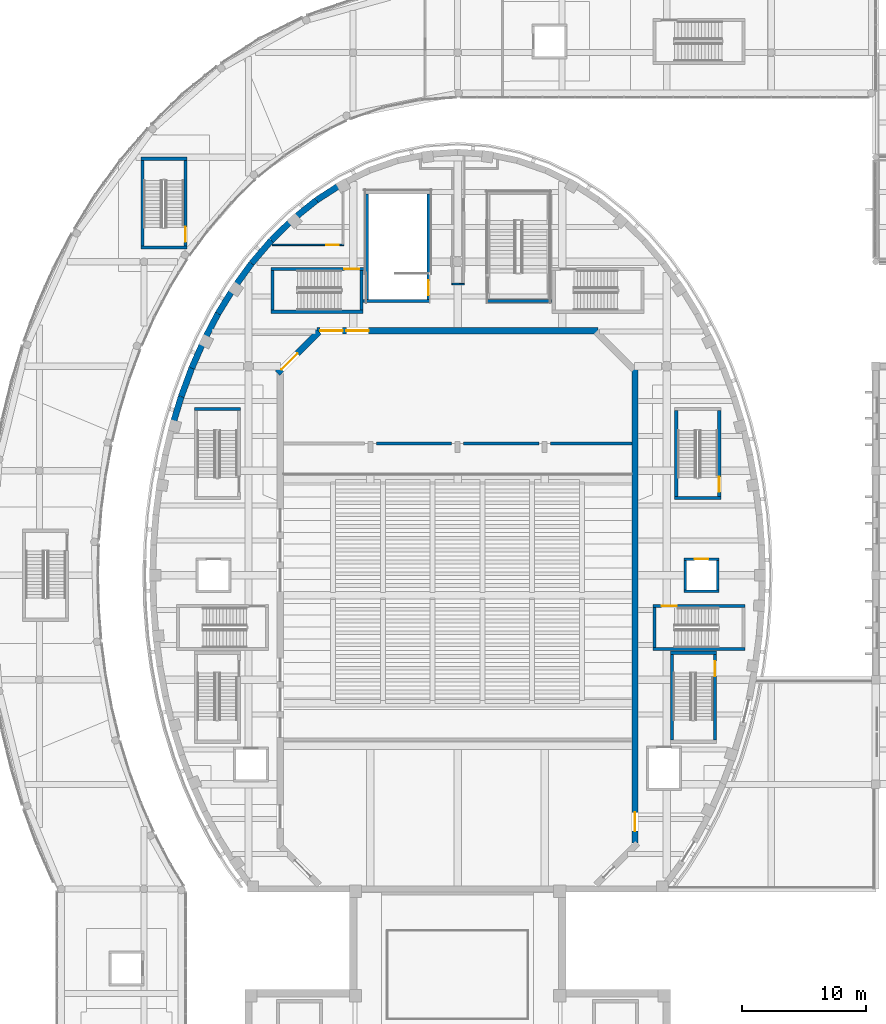
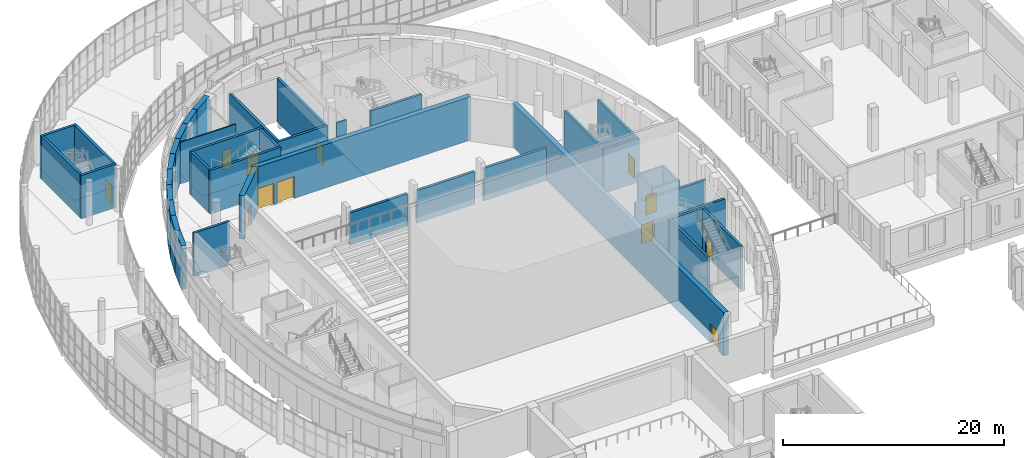
# One storey, part 67 of 119: 44 walls, 12 doors, 12 openings.
"""IFC4 building model written with IfcOpenShell, lengths in metres."""

import ifcopenshell
import ifcopenshell.guid

model = None  # the IFC model being written
_history = None  # IfcOwnerHistory: only IFC2X3 demands one
_inside = {}  # id of a spatial element -> (the spatial element, [elements in it])
_under = {}  # id of a project, library or spatial element -> (it, [spatial elements below it])
_declared = {}  # id of a project -> (the project, [libraries it declares])
_typed = {}  # id of a type object -> (the type object, [elements of that type])
_made_of = {}  # id of a material, layer set ... -> (it, [elements and type objects made of it])


def new_model(schema):
    """Start an empty IFC model of exactly this schema.

    Asked for "IFC4X3", IfcOpenShell would pick the latest addendum, in which some entities
    have other attributes; the version numbers below select the first issue.
    IFC2X3 requires an IfcOwnerHistory on every rooted entity: one is made here for all.
    """
    global model, _history
    if schema == "IFC4X3":
        model = ifcopenshell.file(schema_version=(4, 3, 0, 0))
    else:
        model = ifcopenshell.file(schema=schema)
    _inside.clear()
    _under.clear()
    _declared.clear()
    _typed.clear()
    _made_of.clear()
    _history = None
    if model.schema == "IFC2X3":
        org = make("IfcOrganization", Name="unknown")
        user = make(
            "IfcPersonAndOrganization",
            ThePerson=make("IfcPerson", FamilyName="unknown"),
            TheOrganization=org,
        )
        app = make(
            "IfcApplication",
            ApplicationDeveloper=org,
            Version="unknown",
            ApplicationFullName="unknown",
            ApplicationIdentifier="unknown",
        )
        _history = make(
            "IfcOwnerHistory",
            OwningUser=user,
            OwningApplication=app,
            ChangeAction="ADDED",
            CreationDate=0,
        )
    return model


def make(cls, **values):
    """One entity of the class cls with the attributes given. An attribute that is None is left unset."""
    return model.create_entity(
        cls, **{name: value for name, value in values.items() if value is not None}
    )


def rooted(cls, **values):
    """An entity with a GlobalId (a new one), such as an element, a storey or a relation."""
    return make(cls, GlobalId=ifcopenshell.guid.new(), OwnerHistory=_history, **values)


def si_unit(unit_type, name, prefix=None):
    """IfcSIUnit, for example si_unit("LENGTHUNIT", "METRE", prefix="MILLI")."""
    return make("IfcSIUnit", UnitType=unit_type, Prefix=prefix, Name=name)


def assignment(units):
    """IfcUnitAssignment: the units of a project."""
    return None if units is None else make("IfcUnitAssignment", Units=units)


def point(xyz):
    """IfcCartesianPoint."""
    return None if xyz is None else make("IfcCartesianPoint", Coordinates=xyz)


def direction(xyz):
    """IfcDirection."""
    return None if xyz is None else make("IfcDirection", DirectionRatios=xyz)


def frame(location, z_axis=None, x_axis=None):
    """IfcAxis2Placement3D, a coordinate frame: its origin and axes. An axis left out is left unset."""
    return make(
        "IfcAxis2Placement3D",
        Location=point(location),
        Axis=direction(z_axis),
        RefDirection=direction(x_axis),
    )


def frame_2d(location, x_axis=None):
    """IfcAxis2Placement2D, a coordinate frame in the plane: its origin and x axis."""
    return make(
        "IfcAxis2Placement2D", Location=point(location), RefDirection=direction(x_axis)
    )


def origin():
    """The frame at (0, 0, 0) with its axes left unset."""
    return frame((0.0, 0.0, 0.0))


def place(relative_to, where):
    """IfcLocalPlacement: puts the frame where relative to a parent placement (None: the world)."""
    return make(
        "IfcLocalPlacement", PlacementRelTo=relative_to, RelativePlacement=where
    )


def context(
    kind, dimensions, precision=None, world=None, true_north=None, identifier=None
):
    """IfcGeometricRepresentationContext, for example the 3D "Model" context."""
    return make(
        "IfcGeometricRepresentationContext",
        ContextIdentifier=identifier,
        ContextType=kind,
        CoordinateSpaceDimension=dimensions,
        Precision=precision,
        WorldCoordinateSystem=world,
        TrueNorth=true_north,
    )


def subcontext(parent, identifier, kind, view, scale=None):
    """IfcGeometricRepresentationSubContext, for example "Body" below "Model"."""
    return make(
        "IfcGeometricRepresentationSubContext",
        ContextIdentifier=identifier,
        ContextType=kind,
        ParentContext=parent,
        TargetScale=scale,
        TargetView=view,
    )


def project(units=None, contexts=None):
    """IfcProject with its units and contexts."""
    return rooted(
        "IfcProject",
        Name="project",
        RepresentationContexts=contexts,
        UnitsInContext=assignment(units),
    )


def spatial(cls, under=None, at=None, **own):
    """A site, building, storey or space (cls), placed at a placement, below another one or the project."""
    s = rooted(cls, ObjectPlacement=at, **own)
    if under is not None:
        _under.setdefault(under.id(), (under, []))[1].append(s)
    return s


def profile(cls, at=None, kind="AREA", **sizes):
    """A parametric profile (cls). Its sizes go by their IFC names, for example OverallWidth=200.0."""
    return make(cls, ProfileType=kind, Position=at, **sizes)


def rectangle(**sizes):
    """IfcRectangleProfileDef."""
    return profile("IfcRectangleProfileDef", **sizes)


def extrude(swept, where, along, depth):
    """IfcExtrudedAreaSolid: the profile swept, set in the frame where, extruded along a direction by depth."""
    return make(
        "IfcExtrudedAreaSolid",
        SweptArea=swept,
        Position=where,
        ExtrudedDirection=direction(along),
        Depth=depth,
    )


def shape(context_of_items, identifier, shape_type, items):
    """IfcShapeRepresentation: the items that make up one representation, for example the "Body"."""
    return make(
        "IfcShapeRepresentation",
        ContextOfItems=context_of_items,
        RepresentationIdentifier=identifier,
        RepresentationType=shape_type,
        Items=items,
    )


def material(Name=None, Category=None):
    """IfcMaterial."""
    return make("IfcMaterial", Name=Name, Category=Category)


def layer(
    of_material, thickness, ventilated=None, Name=None, Category=None, Priority=None
):
    """IfcMaterialLayer: one layer of a wall or slab, of a material (None: an air gap)."""
    return make(
        "IfcMaterialLayer",
        Material=of_material,
        LayerThickness=thickness,
        IsVentilated=ventilated,
        Name=Name,
        Category=Category,
        Priority=Priority,
    )


def layer_set(layers, Name=None):
    """IfcMaterialLayerSet."""
    return make("IfcMaterialLayerSet", MaterialLayers=layers, LayerSetName=Name)


def made_of(thing, what):
    """Note that an element or type object is made of a material, layer set ...; save() writes the relation."""
    if what is not None:
        _made_of.setdefault(what.id(), (what, []))[1].append(thing)
    return thing


def type_object(cls, material=None, **own):
    """A type object (cls), such as IfcWallType, which elements share."""
    return made_of(rooted(cls, **own), material)


def element(
    cls,
    number,
    at=None,
    inside=None,
    cuts=None,
    type_object=None,
    material=None,
    context=None,
    identifier="Body",
    shape_type=None,
    held_by="IfcProductDefinitionShape",
    body=None,
    shapes=None,
    **own,
):
    """One element of the class cls, such as IfcWall. Its Tag is "e" and its number.

    at: its placement. inside: the storey or other place that contains it. cuts: it is an
    opening in that element (IfcRelVoidsElement). A single representation is given by context,
    identifier, shape_type and body (its items); several are given by shapes. held_by: the class
    of the entity that holds the representations. save() writes the other relations.
    """
    e = rooted(cls, Tag="e%d" % number, ObjectPlacement=at, **own)
    if body is not None:
        shapes = [shape(context, identifier, shape_type, body)]
    if shapes is not None:
        e.Representation = make(held_by, Representations=shapes)
    if inside is not None:
        _inside.setdefault(inside.id(), (inside, []))[1].append(e)
    if cuts is not None:
        rooted(
            "IfcRelVoidsElement", RelatingBuildingElement=cuts, RelatedOpeningElement=e
        )
    if type_object is not None:
        _typed.setdefault(type_object.id(), (type_object, []))[1].append(e)
    return made_of(e, material)


def fill(opening, filler):
    """IfcRelFillsElement: the door or window that sits in an opening."""
    return rooted(
        "IfcRelFillsElement",
        RelatingOpeningElement=opening,
        RelatedBuildingElement=filler,
    )


def aggregate(whole, parts):
    """IfcRelAggregates: a whole, such as a stair, and the parts it consists of."""
    return rooted("IfcRelAggregates", RelatingObject=whole, RelatedObjects=parts)


def save(model, path):
    """Write the relations noted so far, then the file.

    IfcRelAggregates (storeys below a building ...), IfcRelContainedInSpatialStructure (elements
    in a storey), IfcRelDefinesByType, IfcRelAssociatesMaterial and IfcRelDeclares: one each for
    every whole, place, type object, material and project.
    """
    for whole, parts in _under.values():
        aggregate(whole, parts)
    for where, things in _inside.values():
        rooted(
            "IfcRelContainedInSpatialStructure",
            RelatedElements=things,
            RelatingStructure=where,
        )
    for kind, things in _typed.values():
        rooted("IfcRelDefinesByType", RelatedObjects=things, RelatingType=kind)
    for what, things in _made_of.values():
        rooted("IfcRelAssociatesMaterial", RelatedObjects=things, RelatingMaterial=what)
    for by, libraries in _declared.values():
        rooted("IfcRelDeclares", RelatingContext=by, RelatedDefinitions=libraries)
    model.write(path)


model = new_model("IFC4")

# Units and contexts
model_context = context("Model", 3, precision=1e-05, world=origin(), true_north=direction((0.0, 1.0)))
body_context = subcontext(model_context, "Body", "Model", "MODEL_VIEW")
ifc_project = project(units=[si_unit("LENGTHUNIT", "METRE"), si_unit("AREAUNIT", "SQUARE_METRE"), si_unit("VOLUMEUNIT", "CUBIC_METRE"), si_unit("PLANEANGLEUNIT", "RADIAN"), si_unit("MASSUNIT", "GRAM", prefix="KILO")], contexts=[model_context])

# Site, building, storey
site_placement = place(None, origin())
site = spatial("IfcSite", under=ifc_project, at=site_placement, CompositionType="ELEMENT")
building_placement = place(site_placement, origin())
building = spatial("IfcBuilding", under=site, at=building_placement, Name="Larchfold Concert Hall", CompositionType="ELEMENT")
storey_placement = place(building_placement, frame((0.0, 0.0, 4.800048828125)))
storey = spatial("IfcBuildingStorey", under=building, at=storey_placement, Name="L01", CompositionType="ELEMENT", Elevation=4.800048828125)

# Wall, opening, door
ifc_material_1 = material(Name="Plasterboard partition on steel studs", Category="steel")
ifc_layer_1 = layer(ifc_material_1, 0.125)
ifc_layer_set_1 = layer_set([ifc_layer_1], Name="Plasterboard partition on steel studs")
wall_type_1 = type_object("IfcWallType", Name="Corridor partition 125 EI 60", PredefinedType="PARTITIONING", material=ifc_layer_set_1)
wall_1_placement = place(storey_placement, frame((27.69091796875, 111.14892578125, 0.0), z_axis=(0.0, 0.0, 1.0), x_axis=(0.999999927432, 0.000380968479, 0.0)))
wall_1 = element("IfcWall", 1, at=wall_1_placement, inside=storey, type_object=wall_type_1, Name="Partition IW0006", PredefinedType="PARTITIONING", context=body_context, shape_type="SweptSolid", body=[
    extrude(rectangle(XDim=5.767578125, YDim=0.125, at=frame_2d((2.8837890625, 0.0))), origin(), (0.0, 0.0, 1.0), 4.599853515625),
])
opening_1_placement = place(wall_1_placement, frame((4.36669921875, 0.0, 0.0)))
opening_1 = element("IfcOpeningElement", 2, at=opening_1_placement, cuts=wall_1, Name="Opening D-L01-113", PredefinedType="OPENING", context=body_context, shape_type="SweptSolid", body=[
    extrude(rectangle(XDim=1.0, YDim=2.10009765625, at=frame_2d((0.5, 1.050048828125))), frame((0.0, 0.072509765625, 0.0), z_axis=(0.0, -1.0, 0.0), x_axis=(1.0, 0.0, 0.0)), (0.0, 0.0, 1.0), 0.14501953125),
])
ifc_material_2 = material(Name="Timber door leaf", Category="wood")
door_type_1 = type_object("IfcDoorType", Name="Room door 1000 x 2100 FD30S", OperationType="SINGLE_SWING_LEFT", PredefinedType="DOOR", material=ifc_material_2)
door_1_placement = place(opening_1_placement, origin())
door_1 = element("IfcDoor", 3, at=door_1_placement, inside=storey, type_object=door_type_1, Name="Door D-L01-113", OperationType="SINGLE_SWING_LEFT", OverallHeight=2.10009765625, OverallWidth=1.0, PredefinedType="DOOR", context=body_context, shape_type="SweptSolid", body=[
    extrude(rectangle(XDim=1.0, YDim=2.10009765625, at=frame_2d((0.5, 1.050048828125))), frame((0.0, 0.02490234375, 0.0), z_axis=(0.0, -1.0, 0.0), x_axis=(1.0, 0.0, 0.0)), (0.0, 0.0, 1.0), 0.050048828125),
])
fill(opening_1, door_1)

# Walls
wall_2_placement = place(storey_placement, frame((42.136474609375, 108.009521484375, 0.0), z_axis=(0.0, 0.0, 1.0), x_axis=(0.999960788718, -0.008855564668, 0.0)))
element("IfcWall", 4, at=wall_2_placement, inside=storey, type_object=wall_type_1, Name="Partition IW0012", PredefinedType="PARTITIONING", context=body_context, shape_type="SweptSolid", body=[
    extrude(rectangle(XDim=1.02001953125, YDim=0.125, at=frame_2d((0.510009765625, 0.0))), origin(), (0.0, 0.0, 1.0), 3.599853515625),
])
ifc_material_3 = material(Name="Plasterboard partition on steel studs", Category="steel")
ifc_layer_2 = layer(ifc_material_3, 0.25)
ifc_layer_set_2 = layer_set([ifc_layer_2], Name="Plasterboard partition on steel studs")
wall_type_2 = type_object("IfcWallType", Name="Hall acoustic double-leaf partition 250", PredefinedType="PARTITIONING", material=ifc_layer_set_2)
for number, where, z_axis, x_axis, name in (
    (5, (36.070068359375, 95.199951171875, 0.0), (0.0, 0.0, 1.0), (1.0, 0.0, 0.0), "Partition IW0003"),
    (6, (43.070068359375, 95.199951171875, 0.0), (0.0, 0.0, 1.0), (1.0, 0.0, 0.0), "Partition IW0004"),
):
    element("IfcWall", number, at=place(storey_placement, frame(where, z_axis=z_axis, x_axis=x_axis)), inside=storey, type_object=wall_type_2, Name=name, PredefinedType="PARTITIONING", context=body_context, shape_type="SweptSolid", body=[
        extrude(rectangle(XDim=6.06005859375, YDim=0.25, at=frame_2d((3.030029296875, 0.0))), origin(), (0.0, 0.0, 1.0), 3.579833984375),
    ])
wall_3_placement = place(storey_placement, frame((50.070068359375, 95.199951171875, 0.0), z_axis=(0.0, 0.0, 1.0), x_axis=(1.0, 0.0, 0.0)))
element("IfcWall", 7, at=wall_3_placement, inside=storey, type_object=wall_type_2, Name="Partition IW0005", PredefinedType="PARTITIONING", context=body_context, shape_type="SweptSolid", body=[
    extrude(rectangle(XDim=6.530029296875, YDim=0.25, at=frame_2d((3.26513671875, 0.0))), origin(), (0.0, 0.0, 1.0), 3.579833984375),
])
ifc_material_4 = material(Name="Concrete C40/50", Category="concrete")
ifc_layer_3 = layer(ifc_material_4, 0.199951171875)
ifc_layer_set_3 = layer_set([ifc_layer_3], Name="Concrete C40/50")
wall_type_3 = type_object("IfcWallType", Name="Wall RC 200 lift shaft", PredefinedType="SOLIDWALL", material=ifc_layer_set_3)
wall_4_placement = place(storey_placement, frame((60.800048828125, 83.300048828125, 0.0), z_axis=(0.0, 0.0, 1.0), x_axis=(1.0, 0.0, 0.0)))
element("IfcWall", 8, at=wall_4_placement, inside=storey, type_object=wall_type_3, Name="Wall W0152", PredefinedType="SOLIDWALL", context=body_context, shape_type="SweptSolid", body=[
    extrude(rectangle(XDim=2.800048828125, YDim=0.199951171875, at=frame_2d((1.39990234375, 0.0))), origin(), (0.0, 0.0, 1.0), 4.800048828125),
])

# Wall, opening, door
wall_5_placement = place(storey_placement, frame((60.800048828125, 85.89990234375, 0.0), z_axis=(0.0, 0.0, 1.0), x_axis=(1.0, 0.0, 0.0)))
wall_5 = element("IfcWall", 9, at=wall_5_placement, inside=storey, type_object=wall_type_3, Name="Wall W0153", PredefinedType="SOLIDWALL", context=body_context, shape_type="SweptSolid", body=[
    extrude(rectangle(XDim=2.800048828125, YDim=0.199951171875, at=frame_2d((1.39990234375, 0.0))), origin(), (0.0, 0.0, 1.0), 4.800048828125),
])
opening_2_placement = place(wall_5_placement, frame((0.85009765625, 0.0, 0.0)))
opening_2 = element("IfcOpeningElement", 10, at=opening_2_placement, cuts=wall_5, Name="Opening LD-LF03", PredefinedType="OPENING", context=body_context, shape_type="SweptSolid", body=[
    extrude(rectangle(XDim=1.10009765625, YDim=2.10009765625, at=frame_2d((0.550048828125, 1.050048828125))), frame((0.0, 0.10986328125, 0.0), z_axis=(0.0, -1.0, 0.0), x_axis=(1.0, 0.0, 0.0)), (0.0, 0.0, 1.0), 0.219970703125),
])
ifc_material_5 = material(Name="Stainless steel sliding leaves", Category="steel")
door_type_2 = type_object("IfcDoorType", Name="Lift landing door sliding 1100 x 2100", OperationType="SLIDING_TO_LEFT", PredefinedType="DOOR", material=ifc_material_5)
door_2_placement = place(opening_2_placement, origin())
door_2 = element("IfcDoor", 11, at=door_2_placement, inside=storey, type_object=door_type_2, Name="Lift landing door LF03", OperationType="SLIDING_TO_LEFT", OverallHeight=2.10009765625, OverallWidth=1.10009765625, PredefinedType="DOOR", context=body_context, shape_type="SweptSolid", body=[
    extrude(rectangle(XDim=1.10009765625, YDim=2.10009765625, at=frame_2d((0.550048828125, 1.050048828125))), frame((0.0, 0.02490234375, 0.0), z_axis=(0.0, -1.0, 0.0), x_axis=(1.0, 0.0, 0.0)), (0.0, 0.0, 1.0), 0.050048828125),
])
fill(opening_2, door_2)

# Walls
for number, where, z_axis, x_axis, name in (
    (12, (60.900146484375, 83.39990234375, 0.0), (0.0, 0.0, 1.0), (0.0, 1.0, 0.0), "Wall W0154"),
    (13, (63.5, 83.39990234375, 0.0), (0.0, 0.0, 1.0), (0.0, 1.0, 0.0), "Wall W0155"),
):
    element("IfcWall", number, at=place(storey_placement, frame(where, z_axis=z_axis, x_axis=x_axis)), inside=storey, type_object=wall_type_3, Name=name, PredefinedType="SOLIDWALL", context=body_context, shape_type="SweptSolid", body=[
        extrude(rectangle(XDim=2.400146484375, YDim=0.199951171875, at=frame_2d((1.2001953125, 0.0))), origin(), (0.0, 0.0, 1.0), 4.800048828125),
    ])
ifc_material_6 = material(Name="Concrete C40/50", Category="concrete")
ifc_layer_4 = layer(ifc_material_6, 0.25)
ifc_layer_set_4 = layer_set([ifc_layer_4], Name="Concrete C40/50")
wall_type_4 = type_object("IfcWallType", Name="Wall RC 250 stair core", PredefinedType="SOLIDWALL", material=ifc_layer_set_4)
wall_6_placement = place(storey_placement, frame((60.050048828125, 90.824951171875, 0.0), z_axis=(0.0, 0.0, 1.0), x_axis=(1.0, 0.0, 0.0)))
element("IfcWall", 14, at=wall_6_placement, inside=storey, type_object=wall_type_4, Name="Wall W0032", PredefinedType="SOLIDWALL", context=body_context, shape_type="SweptSolid", body=[
    extrude(rectangle(XDim=3.699951171875, YDim=0.25, at=frame_2d((1.85009765625, 0.0))), origin(), (0.0, 0.0, 1.0), 4.800048828125),
])
wall_7_placement = place(storey_placement, frame((60.175048828125, 90.949951171875, 0.0), z_axis=(0.0, 0.0, 1.0), x_axis=(0.0, 1.0, 0.0)))
element("IfcWall", 15, at=wall_7_placement, inside=storey, type_object=wall_type_4, Name="Wall W0034", PredefinedType="SOLIDWALL", context=body_context, shape_type="SweptSolid", body=[
    extrude(rectangle(XDim=6.900146484375, YDim=0.25, at=frame_2d((3.4501953125, 0.0))), origin(), (0.0, 0.0, 1.0), 4.800048828125),
])

# Wall, opening, door
wall_8_placement = place(storey_placement, frame((63.625, 90.949951171875, 0.0), z_axis=(0.0, 0.0, 1.0), x_axis=(0.0, 1.0, 0.0)))
wall_8 = element("IfcWall", 16, at=wall_8_placement, inside=storey, type_object=wall_type_4, Name="Wall W0035", PredefinedType="SOLIDWALL", context=body_context, shape_type="SweptSolid", body=[
    extrude(rectangle(XDim=6.900146484375, YDim=0.25, at=frame_2d((3.4501953125, 0.0))), origin(), (0.0, 0.0, 1.0), 4.800048828125),
])
opening_3_placement = place(wall_8_placement, frame((0.35009765625, 0.0, 0.0)))
opening_3 = element("IfcOpeningElement", 17, at=opening_3_placement, cuts=wall_8, Name="Opening D-L01-164", PredefinedType="OPENING", context=body_context, shape_type="SweptSolid", body=[
    extrude(rectangle(XDim=1.199951171875, YDim=2.10009765625, at=frame_2d((0.60009765625, 1.050048828125))), frame((0.0, 0.135009765625, 0.0), z_axis=(0.0, -1.0, 0.0), x_axis=(1.0, 0.0, 0.0)), (0.0, 0.0, 1.0), 0.27001953125),
])
ifc_material_7 = material(Name="Timber door leaf", Category="wood")
door_type_3 = type_object("IfcDoorType", Name="Stair enclosure door pair 1200 x 2100 FD60", OperationType="SINGLE_SWING_LEFT", PredefinedType="DOOR", material=ifc_material_7)
door_3_placement = place(opening_3_placement, origin())
door_3 = element("IfcDoor", 18, at=door_3_placement, inside=storey, type_object=door_type_3, Name="Door D-L01-164", OperationType="DOUBLE_DOOR_SINGLE_SWING", OverallHeight=2.10009765625, OverallWidth=1.199951171875, PredefinedType="DOOR", context=body_context, shape_type="SweptSolid", body=[
    extrude(rectangle(XDim=1.199951171875, YDim=2.10009765625, at=frame_2d((0.60009765625, 1.050048828125))), frame((0.0, 0.02490234375, 0.0), z_axis=(0.0, -1.0, 0.0), x_axis=(1.0, 0.0, 0.0)), (0.0, 0.0, 1.0), 0.050048828125),
])
fill(opening_3, door_3)

# Wall
wall_9_placement = place(storey_placement, frame((27.60009765625, 105.77490234375, 0.0), z_axis=(0.0, 0.0, 1.0), x_axis=(1.0, 0.0, 0.0)))
element("IfcWall", 19, at=wall_9_placement, inside=storey, type_object=wall_type_4, Name="Wall W0040", PredefinedType="SOLIDWALL", context=body_context, shape_type="SweptSolid", body=[
    extrude(rectangle(XDim=7.39990234375, YDim=0.25, at=frame_2d((3.699951171875, 0.0))), origin(), (0.0, 0.0, 1.0), 4.800048828125),
])

# Wall, opening, door
wall_10_placement = place(storey_placement, frame((27.60009765625, 109.22509765625, 0.0), z_axis=(0.0, 0.0, 1.0), x_axis=(1.0, 0.0, 0.0)))
wall_10 = element("IfcWall", 20, at=wall_10_placement, inside=storey, type_object=wall_type_4, Name="Wall W0041", PredefinedType="SOLIDWALL", context=body_context, shape_type="SweptSolid", body=[
    extrude(rectangle(XDim=7.599853515625, YDim=0.25, at=frame_2d((3.7998046875, 0.0))), origin(), (0.0, 0.0, 1.0), 4.800048828125),
])
opening_4_placement = place(wall_10_placement, frame((5.900146484375, 0.0, 0.0)))
opening_4 = element("IfcOpeningElement", 21, at=opening_4_placement, cuts=wall_10, Name="Opening D-L01-165", PredefinedType="OPENING", context=body_context, shape_type="SweptSolid", body=[
    extrude(rectangle(XDim=1.199951171875, YDim=2.10009765625, at=frame_2d((0.60009765625, 1.050048828125))), frame((0.0, 0.135009765625, 0.0), z_axis=(0.0, -1.0, 0.0), x_axis=(1.0, 0.0, 0.0)), (0.0, 0.0, 1.0), 0.27001953125),
])
door_4_placement = place(opening_4_placement, origin())
door_4 = element("IfcDoor", 22, at=door_4_placement, inside=storey, type_object=door_type_3, Name="Door D-L01-165", OperationType="DOUBLE_DOOR_SINGLE_SWING", OverallHeight=2.10009765625, OverallWidth=1.199951171875, PredefinedType="DOOR", context=body_context, shape_type="SweptSolid", body=[
    extrude(rectangle(XDim=1.199951171875, YDim=2.10009765625, at=frame_2d((0.60009765625, 1.050048828125))), frame((0.0, 0.02490234375, 0.0), z_axis=(0.0, -1.0, 0.0), x_axis=(1.0, 0.0, 0.0)), (0.0, 0.0, 1.0), 0.050048828125),
])
fill(opening_4, door_4)

# Walls
for number, where, z_axis, x_axis, name in (
    (23, (27.72509765625, 105.89990234375, 0.0), (0.0, 0.0, 1.0), (0.0, 1.0, 0.0), "Wall W0042"),
    (24, (34.875, 105.89990234375, 0.0), (0.0, 0.0, 1.0), (0.0, 1.0, 0.0), "Wall W0043"),
):
    element("IfcWall", number, at=place(storey_placement, frame(where, z_axis=z_axis, x_axis=x_axis)), inside=storey, type_object=wall_type_4, Name=name, PredefinedType="SOLIDWALL", context=body_context, shape_type="SweptSolid", body=[
        extrude(rectangle(XDim=3.2001953125, YDim=0.25, at=frame_2d((1.60009765625, 0.0))), origin(), (0.0, 0.0, 1.0), 4.800048828125),
    ])
for number, where, z_axis, x_axis, name in (
    (25, (21.449951171875, 97.97509765625, 0.0), (0.0, 0.0, 1.0), (1.0, 0.0, 0.0), "Wall W0045"),
    (26, (59.699951171875, 78.375, 0.0), (0.0, 0.0, 1.0), (1.0, 0.0, 0.0), "Wall W0053"),
):
    element("IfcWall", number, at=place(storey_placement, frame(where, z_axis=z_axis, x_axis=x_axis)), inside=storey, type_object=wall_type_4, Name=name, PredefinedType="SOLIDWALL", context=body_context, shape_type="SweptSolid", body=[
        extrude(rectangle(XDim=3.699951171875, YDim=0.25, at=frame_2d((1.85009765625, 0.0))), origin(), (0.0, 0.0, 1.0), 4.800048828125),
    ])
wall_11_placement = place(storey_placement, frame((59.824951171875, 71.35009765625, 0.0), z_axis=(0.0, 0.0, 1.0), x_axis=(0.0, 1.0, 0.0)))
element("IfcWall", 27, at=wall_11_placement, inside=storey, type_object=wall_type_4, Name="Wall W0054", PredefinedType="SOLIDWALL", context=body_context, shape_type="SweptSolid", body=[
    extrude(rectangle(XDim=6.89990234375, YDim=0.25, at=frame_2d((3.449951171875, 0.0))), origin(), (0.0, 0.0, 1.0), 4.800048828125),
])

# Wall, opening, door
wall_12_placement = place(storey_placement, frame((63.27490234375, 71.35009765625, 0.0), z_axis=(0.0, 0.0, 1.0), x_axis=(0.0, 1.0, 0.0)))
wall_12 = element("IfcWall", 28, at=wall_12_placement, inside=storey, type_object=wall_type_4, Name="Wall W0055", PredefinedType="SOLIDWALL", context=body_context, shape_type="SweptSolid", body=[
    extrude(rectangle(XDim=6.89990234375, YDim=0.25, at=frame_2d((3.449951171875, 0.0))), origin(), (0.0, 0.0, 1.0), 4.800048828125),
])
opening_5_placement = place(wall_12_placement, frame((5.14990234375, 0.0, 0.0)))
opening_5 = element("IfcOpeningElement", 29, at=opening_5_placement, cuts=wall_12, Name="Opening D-L01-160", PredefinedType="OPENING", context=body_context, shape_type="SweptSolid", body=[
    extrude(rectangle(XDim=1.199951171875, YDim=2.10009765625, at=frame_2d((0.60009765625, 1.050048828125))), frame((0.0, 0.135009765625, 0.0), z_axis=(0.0, -1.0, 0.0), x_axis=(1.0, 0.0, 0.0)), (0.0, 0.0, 1.0), 0.27001953125),
])
door_5_placement = place(opening_5_placement, origin())
door_5 = element("IfcDoor", 30, at=door_5_placement, inside=storey, type_object=door_type_3, Name="Door D-L01-160", OperationType="DOUBLE_DOOR_SINGLE_SWING", OverallHeight=2.10009765625, OverallWidth=1.199951171875, PredefinedType="DOOR", context=body_context, shape_type="SweptSolid", body=[
    extrude(rectangle(XDim=1.199951171875, YDim=2.10009765625, at=frame_2d((0.60009765625, 1.050048828125))), frame((0.0, 0.02490234375, 0.0), z_axis=(0.0, -1.0, 0.0), x_axis=(1.0, 0.0, 0.0)), (0.0, 0.0, 1.0), 0.050048828125),
])
fill(opening_5, door_5)

# Wall
wall_13_placement = place(storey_placement, frame((58.300048828125, 78.675048828125, 0.0), z_axis=(0.0, 0.0, 1.0), x_axis=(1.0, 0.0, 0.0)))
element("IfcWall", 31, at=wall_13_placement, inside=storey, type_object=wall_type_4, Name="Wall W0060", PredefinedType="SOLIDWALL", context=body_context, shape_type="SweptSolid", body=[
    extrude(rectangle(XDim=7.39990234375, YDim=0.25, at=frame_2d((3.699951171875, 0.0))), origin(), (0.0, 0.0, 1.0), 4.800048828125),
])

# Wall, opening, door
wall_14_placement = place(storey_placement, frame((58.300048828125, 82.125, 0.0), z_axis=(0.0, 0.0, 1.0), x_axis=(1.0, 0.0, 0.0)))
wall_14 = element("IfcWall", 32, at=wall_14_placement, inside=storey, type_object=wall_type_4, Name="Wall W0061", PredefinedType="SOLIDWALL", context=body_context, shape_type="SweptSolid", body=[
    extrude(rectangle(XDim=7.39990234375, YDim=0.25, at=frame_2d((3.699951171875, 0.0))), origin(), (0.0, 0.0, 1.0), 4.800048828125),
])
opening_6_placement = place(wall_14_placement, frame((0.699951171875, 0.0, 0.0)))
opening_6 = element("IfcOpeningElement", 33, at=opening_6_placement, cuts=wall_14, Name="Opening D-L01-162", PredefinedType="OPENING", context=body_context, shape_type="SweptSolid", body=[
    extrude(rectangle(XDim=1.199951171875, YDim=2.10009765625, at=frame_2d((0.60009765625, 1.050048828125))), frame((0.0, 0.135009765625, 0.0), z_axis=(0.0, -1.0, 0.0), x_axis=(1.0, 0.0, 0.0)), (0.0, 0.0, 1.0), 0.27001953125),
])
door_6_placement = place(opening_6_placement, origin())
door_6 = element("IfcDoor", 34, at=door_6_placement, inside=storey, type_object=door_type_3, Name="Door D-L01-162", OperationType="DOUBLE_DOOR_SINGLE_SWING", OverallHeight=2.10009765625, OverallWidth=1.199951171875, PredefinedType="DOOR", context=body_context, shape_type="SweptSolid", body=[
    extrude(rectangle(XDim=1.199951171875, YDim=2.10009765625, at=frame_2d((0.60009765625, 1.050048828125))), frame((0.0, 0.02490234375, 0.0), z_axis=(0.0, -1.0, 0.0), x_axis=(1.0, 0.0, 0.0)), (0.0, 0.0, 1.0), 0.050048828125),
])
fill(opening_6, door_6)

# Walls
wall_15_placement = place(storey_placement, frame((58.425048828125, 78.800048828125, 0.0), z_axis=(0.0, 0.0, 1.0), x_axis=(0.0, 1.0, 0.0)))
element("IfcWall", 35, at=wall_15_placement, inside=storey, type_object=wall_type_4, Name="Wall W0062", PredefinedType="SOLIDWALL", context=body_context, shape_type="SweptSolid", body=[
    extrude(rectangle(XDim=3.199951171875, YDim=0.25, at=frame_2d((1.60009765625, 0.0))), origin(), (0.0, 0.0, 1.0), 4.800048828125),
])
for number, where, z_axis, x_axis, name in (
    (36, (17.14990234375, 110.925048828125, 0.0), (0.0, 0.0, 1.0), (1.0, 0.0, 0.0), "Wall W0128"),
    (37, (17.14990234375, 118.074951171875, 0.0), (0.0, 0.0, 1.0), (1.0, 0.0, 0.0), "Wall W0129"),
):
    element("IfcWall", number, at=place(storey_placement, frame(where, z_axis=z_axis, x_axis=x_axis)), inside=storey, type_object=wall_type_4, Name=name, PredefinedType="SOLIDWALL", context=body_context, shape_type="SweptSolid", body=[
        extrude(rectangle(XDim=3.7001953125, YDim=0.25, at=frame_2d((1.85009765625, 0.0))), origin(), (0.0, 0.0, 1.0), 4.800048828125),
    ])
wall_16_placement = place(storey_placement, frame((17.27490234375, 111.050048828125, 0.0), z_axis=(0.0, 0.0, 1.0), x_axis=(0.0, 1.0, 0.0)))
element("IfcWall", 38, at=wall_16_placement, inside=storey, type_object=wall_type_4, Name="Wall W0130", PredefinedType="SOLIDWALL", context=body_context, shape_type="SweptSolid", body=[
    extrude(rectangle(XDim=6.89990234375, YDim=0.25, at=frame_2d((3.449951171875, 0.0))), origin(), (0.0, 0.0, 1.0), 4.800048828125),
])

# Wall, opening, door
wall_17_placement = place(storey_placement, frame((20.72509765625, 111.050048828125, 0.0), z_axis=(0.0, 0.0, 1.0), x_axis=(0.0, 1.0, 0.0)))
wall_17 = element("IfcWall", 39, at=wall_17_placement, inside=storey, type_object=wall_type_4, Name="Wall W0131", PredefinedType="SOLIDWALL", context=body_context, shape_type="SweptSolid", body=[
    extrude(rectangle(XDim=6.89990234375, YDim=0.25, at=frame_2d((3.449951171875, 0.0))), origin(), (0.0, 0.0, 1.0), 4.800048828125),
])
opening_7_placement = place(wall_17_placement, frame((0.35009765625, 0.0, 0.0)))
opening_7 = element("IfcOpeningElement", 40, at=opening_7_placement, cuts=wall_17, Name="Opening D-L01-185", PredefinedType="OPENING", context=body_context, shape_type="SweptSolid", body=[
    extrude(rectangle(XDim=1.199951171875, YDim=2.10009765625, at=frame_2d((0.60009765625, 1.050048828125))), frame((0.0, 0.135009765625, 0.0), z_axis=(0.0, -1.0, 0.0), x_axis=(1.0, 0.0, 0.0)), (0.0, 0.0, 1.0), 0.27001953125),
])
door_7_placement = place(opening_7_placement, origin())
door_7 = element("IfcDoor", 41, at=door_7_placement, inside=storey, type_object=door_type_3, Name="Door D-L01-185", OperationType="DOUBLE_DOOR_SINGLE_SWING", OverallHeight=2.10009765625, OverallWidth=1.199951171875, PredefinedType="DOOR", context=body_context, shape_type="SweptSolid", body=[
    extrude(rectangle(XDim=1.199951171875, YDim=2.10009765625, at=frame_2d((0.60009765625, 1.050048828125))), frame((0.0, 0.02490234375, 0.0), z_axis=(0.0, -1.0, 0.0), x_axis=(1.0, 0.0, 0.0)), (0.0, 0.0, 1.0), 0.050048828125),
])
fill(opening_7, door_7)

# Walls
wall_18_placement = place(storey_placement, frame((35.0, 106.625, 0.0), z_axis=(0.0, 0.0, 1.0), x_axis=(1.0, 0.0, 0.0)))
element("IfcWall", 42, at=wall_18_placement, inside=storey, type_object=wall_type_4, Name="Wall W0136", PredefinedType="SOLIDWALL", context=body_context, shape_type="SweptSolid", body=[
    extrude(rectangle(XDim=5.39990234375, YDim=0.25, at=frame_2d((2.699951171875, 0.0))), origin(), (0.0, 0.0, 1.0), 4.800048828125),
])
wall_19_placement = place(storey_placement, frame((35.324951171875, 106.75, 0.0), z_axis=(0.0, 0.0, 1.0), x_axis=(0.0, 1.0, 0.0)))
element("IfcWall", 43, at=wall_19_placement, inside=storey, type_object=wall_type_4, Name="Wall W0138", PredefinedType="SOLIDWALL", context=body_context, shape_type="SweptSolid", body=[
    extrude(rectangle(XDim=8.5, YDim=0.25, at=frame_2d((4.25, 0.0))), origin(), (0.0, 0.0, 1.0), 4.800048828125),
])

# Wall, opening, door
wall_20_placement = place(storey_placement, frame((40.27490234375, 106.75, 0.0), z_axis=(0.0, 0.0, 1.0), x_axis=(0.0, 1.0, 0.0)))
wall_20 = element("IfcWall", 44, at=wall_20_placement, inside=storey, type_object=wall_type_4, Name="Wall W0139", PredefinedType="SOLIDWALL", context=body_context, shape_type="SweptSolid", body=[
    extrude(rectangle(XDim=8.5, YDim=0.25, at=frame_2d((4.25, 0.0))), origin(), (0.0, 0.0, 1.0), 4.800048828125),
])
opening_8_placement = place(wall_20_placement, frame((0.35009765625, 0.0, 0.0)))
opening_8 = element("IfcOpeningElement", 45, at=opening_8_placement, cuts=wall_20, Name="Opening D-L01-167", PredefinedType="OPENING", context=body_context, shape_type="SweptSolid", body=[
    extrude(rectangle(XDim=1.199951171875, YDim=2.10009765625, at=frame_2d((0.60009765625, 1.050048828125))), frame((0.0, 0.135009765625, 0.0), z_axis=(0.0, -1.0, 0.0), x_axis=(1.0, 0.0, 0.0)), (0.0, 0.0, 1.0), 0.27001953125),
])
door_8_placement = place(opening_8_placement, origin())
door_8 = element("IfcDoor", 46, at=door_8_placement, inside=storey, type_object=door_type_3, Name="Door D-L01-167", OperationType="DOUBLE_DOOR_SINGLE_SWING", OverallHeight=2.10009765625, OverallWidth=1.199951171875, PredefinedType="DOOR", context=body_context, shape_type="SweptSolid", body=[
    extrude(rectangle(XDim=1.199951171875, YDim=2.10009765625, at=frame_2d((0.60009765625, 1.050048828125))), frame((0.0, 0.02490234375, 0.0), z_axis=(0.0, -1.0, 0.0), x_axis=(1.0, 0.0, 0.0)), (0.0, 0.0, 1.0), 0.050048828125),
])
fill(opening_8, door_8)

# Walls
wall_21_placement = place(storey_placement, frame((44.89990234375, 106.625, 0.0), z_axis=(0.0, 0.0, 1.0), x_axis=(1.0, 0.0, 0.0)))
element("IfcWall", 47, at=wall_21_placement, inside=storey, type_object=wall_type_4, Name="Wall W0140", PredefinedType="SOLIDWALL", context=body_context, shape_type="SweptSolid", body=[
    extrude(rectangle(XDim=5.300048828125, YDim=0.25, at=frame_2d((2.64990234375, 0.0))), origin(), (0.0, 0.0, 1.0), 4.800048828125),
])
ifc_material_8 = material(Name="Concrete C30/37", Category="concrete")
ifc_layer_5 = layer(ifc_material_8, 0.5)
ifc_layer_set_5 = layer_set([ifc_layer_5], Name="Concrete C30/37")
wall_type_5 = type_object("IfcWallType", Name="Wall RC 500 drum facade", PredefinedType="SOLIDWALL", material=ifc_layer_set_5)
wall_22_placement = place(storey_placement, frame((33.31298828125, 116.062744140625, 0.0), z_axis=(0.0, 0.0, 1.0), x_axis=(-0.840519246372, -0.541781687101, 0.0)))
element("IfcWall", 48, at=wall_22_placement, inside=storey, type_object=wall_type_5, Name="Wall DW024", PredefinedType="SOLIDWALL", context=body_context, shape_type="SweptSolid", body=[
    extrude(rectangle(XDim=2.432861328125, YDim=0.5, at=frame_2d((1.21630859375, 0.0))), origin(), (0.0, 0.0, 1.0), 4.800048828125),
])
wall_23_placement = place(storey_placement, frame((31.26806640625, 114.74462890625, 0.0), z_axis=(0.0, 0.0, 1.0), x_axis=(-0.779015271296, -0.627004949811, 0.0)))
element("IfcWall", 49, at=wall_23_placement, inside=storey, type_object=wall_type_5, Name="Wall DW025", PredefinedType="SOLIDWALL", context=body_context, shape_type="SweptSolid", body=[
    extrude(rectangle(XDim=2.43310546875, YDim=0.5, at=frame_2d((1.216552734375, 0.0))), origin(), (0.0, 0.0, 1.0), 4.800048828125),
])
for number, where, z_axis, x_axis, name in (
    (50, (29.37255859375, 113.218994140625, 0.0), (0.0, 0.0, 1.0), (-0.71498883591, -0.69913586986, 0.0), "Wall DW026"),
    (51, (27.6328125, 111.517822265625, 0.0), (0.0, 0.0, 1.0), (-0.650526940133, -0.759483179643, 0.0), "Wall DW027"),
):
    element("IfcWall", number, at=place(storey_placement, frame(where, z_axis=z_axis, x_axis=x_axis)), inside=storey, type_object=wall_type_5, Name=name, PredefinedType="SOLIDWALL", context=body_context, shape_type="SweptSolid", body=[
        extrude(rectangle(XDim=2.433349609375, YDim=0.5, at=frame_2d((1.216796875, 0.0))), origin(), (0.0, 0.0, 1.0), 4.800048828125),
    ])
wall_24_placement = place(storey_placement, frame((26.0498046875, 109.669677734375, 0.0), z_axis=(0.0, 0.0, 1.0), x_axis=(-0.586643688245, -0.809845159918, 0.0)))
element("IfcWall", 52, at=wall_24_placement, inside=storey, type_object=wall_type_5, Name="Wall DW028", PredefinedType="SOLIDWALL", context=body_context, shape_type="SweptSolid", body=[
    extrude(rectangle(XDim=2.433837890625, YDim=0.5, at=frame_2d((1.216796875, 0.0))), origin(), (0.0, 0.0, 1.0), 4.800048828125),
])
wall_25_placement = place(storey_placement, frame((24.6220703125, 107.69873046875, 0.0), z_axis=(0.0, 0.0, 1.0), x_axis=(-0.524097425664, -0.851658316705, 0.0)))
element("IfcWall", 53, at=wall_25_placement, inside=storey, type_object=wall_type_5, Name="Wall DW029", PredefinedType="SOLIDWALL", context=body_context, shape_type="SweptSolid", body=[
    extrude(rectangle(XDim=2.43359375, YDim=0.5, at=frame_2d((1.216796875, 0.0))), origin(), (0.0, 0.0, 1.0), 4.800048828125),
])
wall_26_placement = place(storey_placement, frame((23.3466796875, 105.626220703125, 0.0), z_axis=(0.0, 0.0, 1.0), x_axis=(-0.463152141842, -0.886278789945, 0.0)))
element("IfcWall", 54, at=wall_26_placement, inside=storey, type_object=wall_type_5, Name="Wall DW030", PredefinedType="SOLIDWALL", context=body_context, shape_type="SweptSolid", body=[
    extrude(rectangle(XDim=2.433837890625, YDim=0.5, at=frame_2d((1.216796875, 0.0))), origin(), (0.0, 0.0, 1.0), 4.800048828125),
])
wall_27_placement = place(storey_placement, frame((22.219482421875, 103.46923828125, 0.0), z_axis=(0.0, 0.0, 1.0), x_axis=(-0.404089673612, -0.914719375371, 0.0)))
element("IfcWall", 55, at=wall_27_placement, inside=storey, type_object=wall_type_5, Name="Wall DW031", PredefinedType="SOLIDWALL", context=body_context, shape_type="SweptSolid", body=[
    extrude(rectangle(XDim=2.43359375, YDim=0.5, at=frame_2d((1.216796875, 0.0))), origin(), (0.0, 0.0, 1.0), 4.800048828125),
])
for number, where, z_axis, x_axis, name in (
    (56, (21.236083984375, 101.2431640625, 0.0), (0.0, 0.0, 1.0), (-0.346579149604, -0.938020731679, 0.0), "Wall DW032"),
    (57, (20.392578125, 98.960205078125, 0.0), (0.0, 0.0, 1.0), (-0.290594767559, -0.956846215997, 0.0), "Wall DW033"),
):
    element("IfcWall", number, at=place(storey_placement, frame(where, z_axis=z_axis, x_axis=x_axis)), inside=storey, type_object=wall_type_5, Name=name, PredefinedType="SOLIDWALL", context=body_context, shape_type="SweptSolid", body=[
        extrude(rectangle(XDim=2.433837890625, YDim=0.5, at=frame_2d((1.216796875, 0.0))), origin(), (0.0, 0.0, 1.0), 4.800048828125),
    ])

# Wall, opening, door
ifc_material_9 = material(Name="Concrete C40/50", Category="concrete")
ifc_layer_6 = layer(ifc_material_9, 0.5)
ifc_layer_set_6 = layer_set([ifc_layer_6], Name="Concrete C40/50")
wall_type_6 = type_object("IfcWallType", Name="Wall RC 500 hall shell", PredefinedType="SOLIDWALL", material=ifc_layer_set_6)
wall_28_placement = place(storey_placement, frame((56.85009765625, 63.10009765625, 0.0), z_axis=(0.0, 0.0, 1.0), x_axis=(0.0, 1.0, 0.0)))
wall_28 = element("IfcWall", 58, at=wall_28_placement, inside=storey, type_object=wall_type_6, Name="Wall W0002", PredefinedType="SOLIDWALL", context=body_context, shape_type="SweptSolid", body=[
    extrude(rectangle(XDim=38.151123046875, YDim=0.5, at=frame_2d((19.07568359375, 0.0))), origin(), (0.0, 0.0, 1.0), 4.800048828125),
])
opening_9_placement = place(wall_28_placement, frame((0.9423828125, 0.0, 0.0)))
opening_9 = element("IfcOpeningElement", 59, at=opening_9_placement, cuts=wall_28, Name="Opening D-L01-102", PredefinedType="OPENING", context=body_context, shape_type="SweptSolid", body=[
    extrude(rectangle(XDim=1.5, YDim=2.10009765625, at=frame_2d((0.75, 1.050048828125))), frame((0.0, 0.260009765625, 0.0), z_axis=(0.0, -1.0, 0.0), x_axis=(1.0, 0.0, 0.0)), (0.0, 0.0, 1.0), 0.52001953125),
])
ifc_material_10 = material(Name="Timber door leaf", Category="wood")
door_type_4 = type_object("IfcDoorType", Name="Hall vomitory door pair, acoustic 1500 x 2100 FD60", OperationType="SINGLE_SWING_LEFT", PredefinedType="DOOR", material=ifc_material_10)
door_9_placement = place(opening_9_placement, origin())
door_9 = element("IfcDoor", 60, at=door_9_placement, inside=storey, type_object=door_type_4, Name="Door D-L01-102", OperationType="DOUBLE_DOOR_SINGLE_SWING", OverallHeight=2.10009765625, OverallWidth=1.5, PredefinedType="DOOR", context=body_context, shape_type="SweptSolid", body=[
    extrude(rectangle(XDim=1.5, YDim=2.10009765625, at=frame_2d((0.75, 1.050048828125))), frame((0.0, 0.02490234375, 0.0), z_axis=(0.0, -1.0, 0.0), x_axis=(1.0, 0.0, 0.0)), (0.0, 0.0, 1.0), 0.050048828125),
])
fill(opening_9, door_9)

# Wall, openings, doors
wall_29_placement = place(storey_placement, frame((53.89990234375, 104.25, 0.0), z_axis=(0.0, 0.0, 1.0), x_axis=(-1.0, 0.0, 0.0)))
wall_29 = element("IfcWall", 61, at=wall_29_placement, inside=storey, type_object=wall_type_6, Name="Wall W0004", PredefinedType="SOLIDWALL", context=body_context, shape_type="SweptSolid", body=[
    extrude(rectangle(XDim=22.599853515625, YDim=0.5, at=frame_2d((11.2998046875, 0.0))), origin(), (0.0, 0.0, 1.0), 4.800048828125),
])
opening_10_placement = place(wall_29_placement, frame((20.54248046875, 0.0, 0.0)))
opening_10 = element("IfcOpeningElement", 62, at=opening_10_placement, cuts=wall_29, Name="Opening D-L01-111", PredefinedType="OPENING", context=body_context, shape_type="SweptSolid", body=[
    extrude(rectangle(XDim=1.800048828125, YDim=2.39990234375, at=frame_2d((0.89990234375, 1.199951171875))), frame((0.0, 0.260009765625, 0.0), z_axis=(0.0, -1.0, 0.0), x_axis=(1.0, 0.0, 0.0)), (0.0, 0.0, 1.0), 0.52001953125),
])
opening_11_placement = place(wall_29_placement, frame((18.4423828125, 0.0, 0.0)))
opening_11 = element("IfcOpeningElement", 63, at=opening_11_placement, cuts=wall_29, Name="Opening D-L01-112", PredefinedType="OPENING", context=body_context, shape_type="SweptSolid", body=[
    extrude(rectangle(XDim=1.800048828125, YDim=2.39990234375, at=frame_2d((0.89990234375, 1.199951171875))), frame((0.0, 0.260009765625, 0.0), z_axis=(0.0, -1.0, 0.0), x_axis=(1.0, 0.0, 0.0)), (0.0, 0.0, 1.0), 0.52001953125),
])
ifc_material_11 = material(Name="Timber door leaf", Category="wood")
door_type_5 = type_object("IfcDoorType", Name="Hall vomitory door pair, acoustic 1800 x 2400 FD60", OperationType="SINGLE_SWING_LEFT", PredefinedType="DOOR", material=ifc_material_11)
door_10_placement = place(opening_10_placement, origin())
door_10 = element("IfcDoor", 64, at=door_10_placement, inside=storey, type_object=door_type_5, Name="Door D-L01-111", OperationType="DOUBLE_DOOR_SINGLE_SWING", OverallHeight=2.39990234375, OverallWidth=1.800048828125, PredefinedType="DOOR", context=body_context, shape_type="SweptSolid", body=[
    extrude(rectangle(XDim=1.800048828125, YDim=2.39990234375, at=frame_2d((0.89990234375, 1.199951171875))), frame((0.0, 0.02490234375, 0.0), z_axis=(0.0, -1.0, 0.0), x_axis=(1.0, 0.0, 0.0)), (0.0, 0.0, 1.0), 0.050048828125),
])
fill(opening_10, door_10)
door_11_placement = place(opening_11_placement, origin())
door_11 = element("IfcDoor", 65, at=door_11_placement, inside=storey, type_object=door_type_5, Name="Door D-L01-112", OperationType="DOUBLE_DOOR_SINGLE_SWING", OverallHeight=2.39990234375, OverallWidth=1.800048828125, PredefinedType="DOOR", context=body_context, shape_type="SweptSolid", body=[
    extrude(rectangle(XDim=1.800048828125, YDim=2.39990234375, at=frame_2d((0.89990234375, 1.199951171875))), frame((0.0, 0.02490234375, 0.0), z_axis=(0.0, -1.0, 0.0), x_axis=(1.0, 0.0, 0.0)), (0.0, 0.0, 1.0), 0.050048828125),
])
fill(opening_11, door_11)

# Wall, opening, door
wall_30_placement = place(storey_placement, frame((31.477294921875, 104.17724609375, 0.0), z_axis=(0.0, 0.0, 1.0), x_axis=(-0.707106781187, -0.707106781187, 0.0)))
wall_30 = element("IfcWall", 66, at=wall_30_placement, inside=storey, type_object=wall_type_6, Name="Wall W0005", PredefinedType="SOLIDWALL", context=body_context, shape_type="SweptSolid", body=[
    extrude(rectangle(XDim=4.720458984375, YDim=0.5, at=frame_2d((2.3603515625, 0.0))), origin(), (0.0, 0.0, 1.0), 4.800048828125),
])
opening_12_placement = place(wall_30_placement, frame((2.481201171875, 0.0, 0.0)))
opening_12 = element("IfcOpeningElement", 67, at=opening_12_placement, cuts=wall_30, Name="Opening D-L01-110", PredefinedType="OPENING", context=body_context, shape_type="SweptSolid", body=[
    extrude(rectangle(XDim=1.800048828125, YDim=2.39990234375, at=frame_2d((0.89990234375, 1.199951171875))), frame((0.0, 0.260009765625, 0.0), z_axis=(0.0, -1.0, 0.0), x_axis=(1.0, 0.0, 0.0)), (0.0, 0.0, 1.0), 0.52001953125),
])
door_12_placement = place(opening_12_placement, origin())
door_12 = element("IfcDoor", 68, at=door_12_placement, inside=storey, type_object=door_type_5, Name="Door D-L01-110", OperationType="DOUBLE_DOOR_SINGLE_SWING", OverallHeight=2.39990234375, OverallWidth=1.800048828125, PredefinedType="DOOR", context=body_context, shape_type="SweptSolid", body=[
    extrude(rectangle(XDim=1.800048828125, YDim=2.39990234375, at=frame_2d((0.89990234375, 1.199951171875))), frame((0.0, 0.02490234375, 0.0), z_axis=(0.0, -1.0, 0.0), x_axis=(1.0, 0.0, 0.0)), (0.0, 0.0, 1.0), 0.050048828125),
])
fill(opening_12, door_12)

save(model, "model.ifc")
